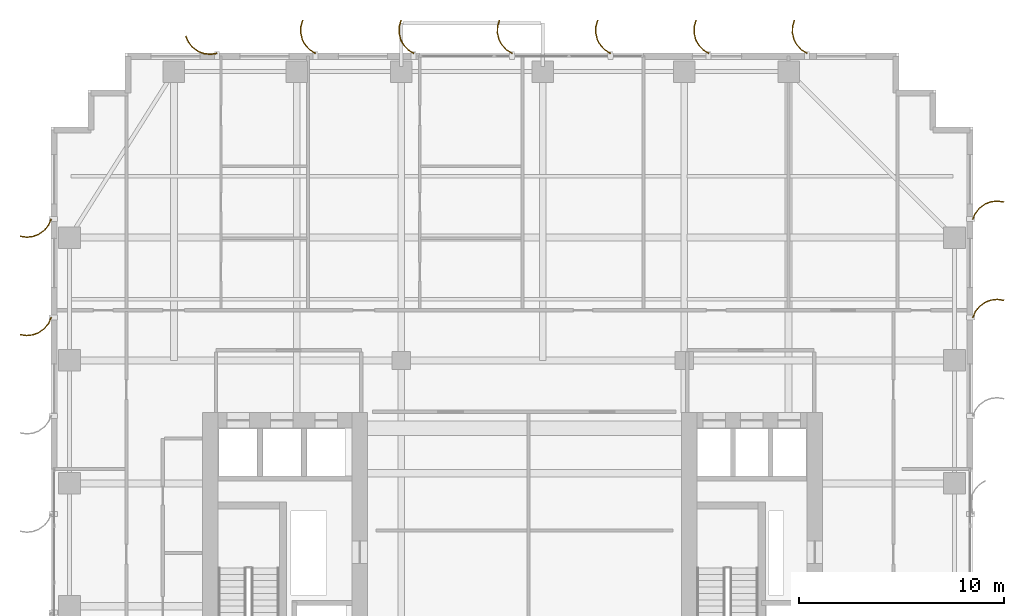
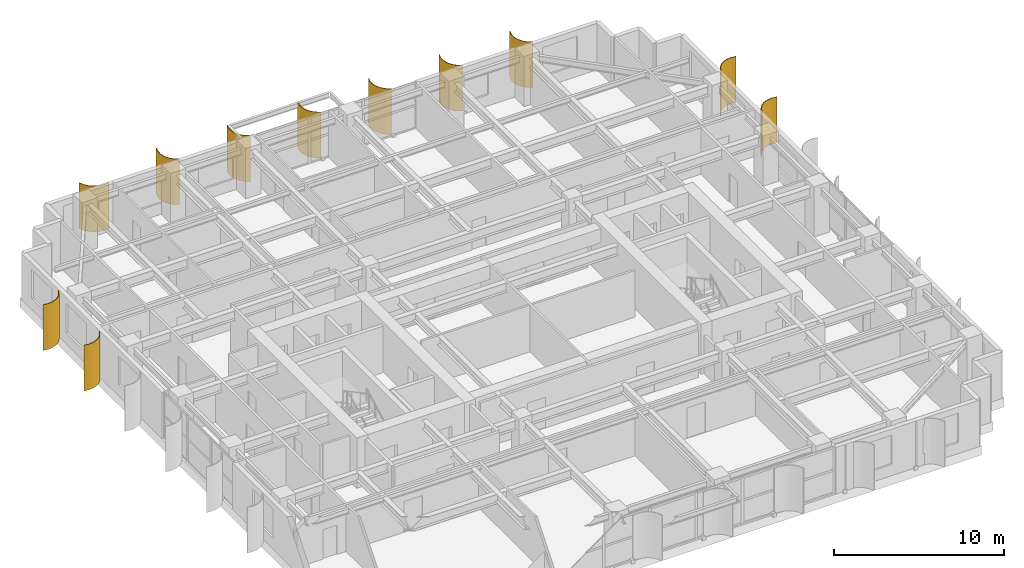
# One storey, part 23 of 23: 11 shading devices.
"""IFC4 building model written with IfcOpenShell, lengths in metres."""

from ifc_helpers import new_model, si_unit, direction, frame, origin, place, context, subcontext, project, spatial, polyline, outline, extrude, source, transform, mapped, material, layer, layer_set, type_object, element, save


model = new_model("IFC4")

# Units and contexts
model_context = context("Model", 3, precision=1e-05, world=origin(), true_north=direction((0.0, 1.0)))
body_context = subcontext(model_context, "Body", "Model", "MODEL_VIEW")
ifc_project = project(units=[si_unit("LENGTHUNIT", "METRE"), si_unit("AREAUNIT", "SQUARE_METRE"), si_unit("VOLUMEUNIT", "CUBIC_METRE"), si_unit("PLANEANGLEUNIT", "RADIAN"), si_unit("MASSUNIT", "GRAM", prefix="KILO")], contexts=[model_context])

# Site, building, storey
site_placement = place(None, origin())
site = spatial("IfcSite", under=ifc_project, at=site_placement, CompositionType="ELEMENT")
building_placement = place(site_placement, origin())
building = spatial("IfcBuilding", under=site, at=building_placement, Name="Khoralis Quay Care Tower", CompositionType="ELEMENT")
storey_placement = place(building_placement, frame((0.0, 0.0, 83.699951171875)))
storey = spatial("IfcBuildingStorey", under=building, at=storey_placement, Name="L21", CompositionType="ELEMENT", Elevation=83.699951171875)

# Shading devices
ifc_material = material(Name="Brushed pale anodised aluminium", Category="aluminium")
ifc_layer = layer(ifc_material, 0.044921875)
ifc_layer_set = layer_set([ifc_layer], Name="Brushed pale anodised aluminium")
shading_device_type = type_object("IfcShadingDeviceType", Name="SHD-FIN-1250", PredefinedType="USERDEFINED", material=ifc_layer_set)
shared_shape_1 = source(origin(), body_context, "Body", "SweptSolid", [
    extrude(outline(polyline([(0.0, 0.0), (0.17041015625, 0.2783203125), (0.4072265625, 0.5029296875), (0.694091796875, 0.658447265625), (1.01123046875, 0.734619140625), (1.33740234375, 0.72607421875), (1.650390625, 0.633544921875), (1.632080078125, 0.59228515625), (1.330322265625, 0.681640625), (1.015869140625, 0.68994140625), (0.710205078125, 0.616455078125), (0.43359375, 0.466552734375), (0.20556640625, 0.25), (0.041015625, -0.018310546875), (0.0, 0.0)])), origin(), (0.0, 0.0, 1.0), 3.280029296875),
])
for number, where, z_axis, x_axis, name in (
    (1, (36.89990234375, 44.969970703125, 0.02001953125), (0.0, 0.0, 1.0), (0.0, 1.0, 0.0), "L21 Curved Solar Fin P1E10-01"),
    (2, (32.10009765625, 44.969970703125, 0.02001953125), (0.0, 0.0, 1.0), (0.0, 1.0, 0.0), "L21 Curved Solar Fin P1E10-02"),
    (3, (27.300048828125, 44.969970703125, 0.02001953125), (0.0, 0.0, 1.0), (0.0, 1.0, 0.0), "L21 Curved Solar Fin P1E10-03"),
    (4, (22.5, 44.969970703125, 0.02001953125), (0.0, 0.0, 1.0), (0.0, 1.0, 0.0), "L21 Curved Solar Fin P1E10-04"),
    (5, (17.699951171875, 44.969970703125, 0.02001953125), (0.0, 0.0, 1.0), (0.0, 1.0, 0.0), "L21 Curved Solar Fin P1E10-05"),
    (6, (12.89990234375, 44.969970703125, 0.02001953125), (0.0, 0.0, 1.0), (0.0, 1.0, 0.0), "L21 Curved Solar Fin P1E10-06"),
):
    element("IfcShadingDevice", number, at=place(storey_placement, frame(where, z_axis=z_axis, x_axis=x_axis)), inside=storey, type_object=shading_device_type, Name=name, ObjectType="FIN", PredefinedType="USERDEFINED", context=body_context, shape_type="MappedRepresentation", body=[
        mapped(shared_shape_1, transform((0.0, 0.0, 0.0), scale=1.0)),
    ])
shared_shape_2 = source(origin(), body_context, "Body", "SweptSolid", [
    extrude(outline(polyline([(0.0, 0.0), (-0.04833984375, 0.32275390625), (-0.01123046875, 0.64697265625), (0.1083984375, 0.950439453125), (0.302490234375, 1.212890625), (0.557861328125, 1.416015625), (0.85693359375, 1.546142578125), (0.869384765625, 1.5029296875), (0.5810546875, 1.37744140625), (0.334716796875, 1.181640625), (0.147705078125, 0.9287109375), (0.032470703125, 0.635986328125), (-0.003173828125, 0.323486328125), (0.043212890625, 0.012451171875), (0.0, 0.0)])), origin(), (0.0, 0.0, 1.0), 3.280029296875),
])
shading_device_placement = place(storey_placement, frame((8.10009765625, 44.969970703125, 0.02001953125), z_axis=(0.0, 0.0, 1.0), x_axis=(0.0, 1.0, 0.0)))
element("IfcShadingDevice", 7, at=shading_device_placement, inside=storey, type_object=shading_device_type, Name="L21 Curved Solar Fin P1E10-07", ObjectType="FIN", PredefinedType="USERDEFINED", context=body_context, shape_type="MappedRepresentation", body=[
    mapped(shared_shape_2, transform((0.0, 0.0, 0.0), scale=1.0)),
])
shared_shape_3 = source(origin(), body_context, "Body", "SweptSolid", [
    extrude(outline(polyline([(0.0, 0.0), (0.130126953125, 0.29931640625), (0.333251953125, 0.5546875), (0.595458984375, 0.748779296875), (0.899169921875, 0.868408203125), (1.223388671875, 0.9052734375), (1.546142578125, 0.85693359375), (1.53369140625, 0.813720703125), (1.22265625, 0.8603515625), (0.91015625, 0.82470703125), (0.617431640625, 0.70947265625), (0.364501953125, 0.522216796875), (0.168701171875, 0.276123046875), (0.043212890625, -0.012451171875), (0.0, 0.0)])), origin(), (0.0, 0.0, 1.0), 3.280029296875),
])
for number, where, z_axis, x_axis, name in (
    (8, (44.969970703125, 32.10009765625, 0.02001953125), (0.0, 0.0, 1.0), (1.0, 0.0, 0.0), "L21 Curved Solar Fin P1E5-06"),
    (9, (44.969970703125, 36.89990234375, 0.02001953125), (0.0, 0.0, 1.0), (1.0, 0.0, 0.0), "L21 Curved Solar Fin P1E5-07"),
    (10, (0.030029296875, 36.89990234375, 0.02001953125), (0.0, 0.0, 1.0), (-1.0, 0.0, 0.0), "L21 Curved Solar Fin P1E15-01"),
    (11, (0.030029296875, 32.10009765625, 0.02001953125), (0.0, 0.0, 1.0), (-1.0, 0.0, 0.0), "L21 Curved Solar Fin P1E15-02"),
):
    element("IfcShadingDevice", number, at=place(storey_placement, frame(where, z_axis=z_axis, x_axis=x_axis)), inside=storey, type_object=shading_device_type, Name=name, ObjectType="FIN", PredefinedType="USERDEFINED", context=body_context, shape_type="MappedRepresentation", body=[
        mapped(shared_shape_3, transform((0.0, 0.0, 0.0), scale=1.0)),
    ])

save(model, "model.ifc")
